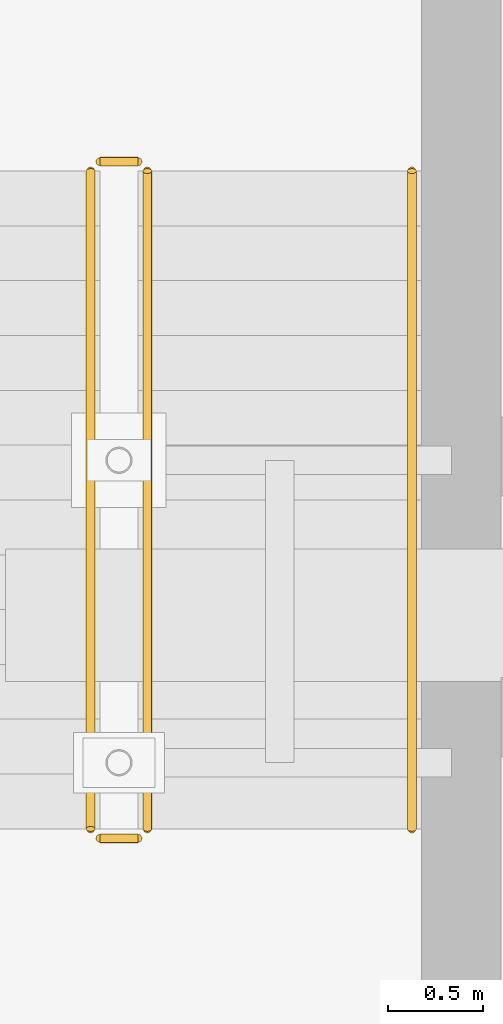
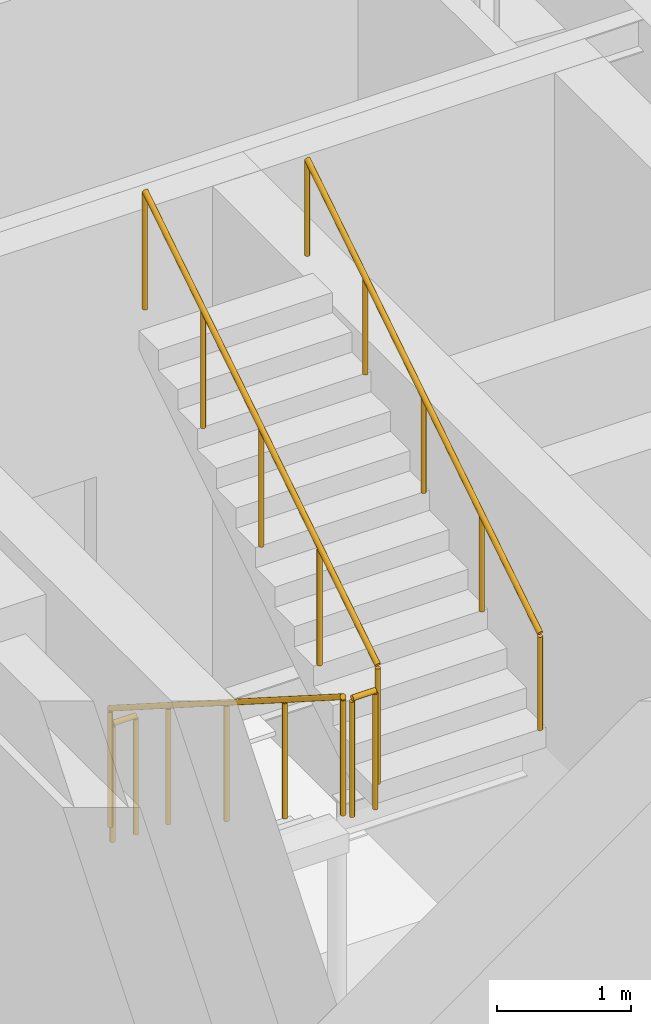
# One storey, part 45 of 49: 5 railings.
"""IFC4 building model written with IfcOpenShell, lengths in metres."""

from ifc_helpers import new_model, si_unit, direction, frame, origin, origin_2d, place, context, subcontext, project, spatial, circle, extrude, material, type_object, element, save


model = new_model("IFC4")

# Units and contexts
model_context = context("Model", 3, precision=1e-05, world=origin(), true_north=direction((0.0, 1.0)))
body_context = subcontext(model_context, "Body", "Model", "MODEL_VIEW")
ifc_project = project(units=[si_unit("LENGTHUNIT", "METRE"), si_unit("AREAUNIT", "SQUARE_METRE"), si_unit("VOLUMEUNIT", "CUBIC_METRE"), si_unit("PLANEANGLEUNIT", "RADIAN"), si_unit("MASSUNIT", "GRAM", prefix="KILO")], contexts=[model_context])

# Site, building, storey
site_placement = place(None, origin())
site = spatial("IfcSite", under=ifc_project, at=site_placement, CompositionType="ELEMENT")
building_placement = place(site_placement, origin())
building = spatial("IfcBuilding", under=site, at=building_placement, Name="Krzemoval Escarpment Law Courts", CompositionType="ELEMENT")
storey_placement = place(building_placement, frame((0.0, 0.0, -4.800048828125)))
storey = spatial("IfcBuildingStorey", under=building, at=storey_placement, Name="B1", CompositionType="ELEMENT", Elevation=-4.800048828125)

# Railings
ifc_material_1 = material(Name="Galvanised Steel S355", Category="steel")
railing_type_1 = type_object("IfcRailingType", Name="RL-GRD-1100", PredefinedType="GUARDRAIL", material=ifc_material_1)
railing_1_placement = place(storey_placement, frame((111.75, 29.35009765625, 0.1845703125)))
element("IfcRailing", 1, at=railing_1_placement, inside=storey, type_object=railing_type_1, Name="B1 ST6 stair guard 1", PredefinedType="GUARDRAIL", context=body_context, shape_type="SweptSolid", body=[
    extrude(circle(Radius=0.02392578125, at=origin_2d()), frame((0.0, 0.0, 1.076171875), z_axis=(0.0, -0.843546938479, 0.53705545578), x_axis=(1.0, 0.0, 0.0)), (0.0, 0.0, 1.0), 4.12548828125),
    extrude(circle(Radius=0.02099609375, at=origin_2d()), origin(), (0.0, 0.0, 1.0), 1.052001953125),
    extrude(circle(Radius=0.02099609375, at=origin_2d()), frame((0.0, -0.8701171875, 0.553955078125)), (0.0, 0.0, 1.0), 1.052001953125),
    extrude(circle(Radius=0.02099609375, at=origin_2d()), frame((0.0, -1.739990234375, 1.10791015625)), (0.0, 0.0, 1.0), 1.052001953125),
    extrude(circle(Radius=0.02099609375, at=origin_2d()), frame((0.0, -2.60986328125, 1.66162109375)), (0.0, 0.0, 1.0), 1.052001953125),
    extrude(circle(Radius=0.02099609375, at=origin_2d()), frame((0.0, -3.47998046875, 2.215576171875)), (0.0, 0.0, 1.0), 1.052001953125),
])
railing_2_placement = place(storey_placement, frame((111.800048828125, 25.820068359375, 2.400146484375)))
element("IfcRailing", 2, at=railing_2_placement, inside=storey, type_object=railing_type_1, Name="B1 ST6 stair guard 2", PredefinedType="GUARDRAIL", context=body_context, shape_type="SweptSolid", body=[
    extrude(circle(Radius=0.02392578125, at=origin_2d()), frame((0.0, 0.0, 1.076171875), z_axis=(1.0, 0.0, 0.0), x_axis=(0.0, 1.0, 0.0)), (0.0, 0.0, 1.0), 0.199951171875),
    extrude(circle(Radius=0.02099609375, at=origin_2d()), origin(), (0.0, 0.0, 1.0), 1.052001953125),
    extrude(circle(Radius=0.02099609375, at=origin_2d()), frame((0.199951171875, 0.0, 0.0)), (0.0, 0.0, 1.0), 1.052001953125),
])
railing_3_placement = place(storey_placement, frame((112.050048828125, 25.8701171875, 2.584716796875)))
element("IfcRailing", 3, at=railing_3_placement, inside=storey, type_object=railing_type_1, Name="B1 ST6 stair guard 3", PredefinedType="GUARDRAIL", context=body_context, shape_type="SweptSolid", body=[
    extrude(circle(Radius=0.02392578125, at=origin_2d()), frame((0.0, 0.0, 1.076171875), z_axis=(0.0, 0.843573748531, 0.537013343214), x_axis=(-1.0, 0.0, 0.0)), (0.0, 0.0, 1.0), 4.125244140625),
    extrude(circle(Radius=0.02099609375, at=origin_2d()), origin(), (0.0, 0.0, 1.0), 1.052001953125),
    extrude(circle(Radius=0.02099609375, at=origin_2d()), frame((0.0, 0.8701171875, 0.5537109375)), (0.0, 0.0, 1.0), 1.052001953125),
    extrude(circle(Radius=0.02099609375, at=origin_2d()), frame((0.0, 1.739990234375, 1.107666015625)), (0.0, 0.0, 1.0), 1.052001953125),
    extrude(circle(Radius=0.02099609375, at=origin_2d()), frame((0.0, 2.60986328125, 1.66162109375)), (0.0, 0.0, 1.0), 1.052001953125),
    extrude(circle(Radius=0.02099609375, at=origin_2d()), frame((0.0, 3.47998046875, 2.21533203125)), (0.0, 0.0, 1.0), 1.052001953125),
])
railing_4_placement = place(storey_placement, frame((111.800048828125, 29.39990234375, 0.0)))
element("IfcRailing", 4, at=railing_4_placement, inside=storey, type_object=railing_type_1, Name="B1 ST6 stair guard 4", PredefinedType="GUARDRAIL", context=body_context, shape_type="SweptSolid", body=[
    extrude(circle(Radius=0.02392578125, at=origin_2d()), frame((0.0, 0.0, 1.076171875), z_axis=(1.0, 0.0, 0.0), x_axis=(0.0, 1.0, 0.0)), (0.0, 0.0, 1.0), 0.199951171875),
    extrude(circle(Radius=0.02099609375, at=origin_2d()), origin(), (0.0, 0.0, 1.0), 1.052001953125),
    extrude(circle(Radius=0.02099609375, at=origin_2d()), frame((0.199951171875, 0.0, 0.0)), (0.0, 0.0, 1.0), 1.052001953125),
])
ifc_material_2 = material(Name="Brushed Stainless Steel Grade 304 Handrail", Category="steel")
railing_type_2 = type_object("IfcRailingType", Name="RL-HND-900", PredefinedType="HANDRAIL", material=ifc_material_2)
railing_5_placement = place(storey_placement, frame((113.449951171875, 25.8701171875, 2.584716796875)))
element("IfcRailing", 5, at=railing_5_placement, inside=storey, type_object=railing_type_2, Name="B1 ST6 stair handrail 2", PredefinedType="HANDRAIL", context=body_context, shape_type="SweptSolid", body=[
    extrude(circle(Radius=0.02392578125, at=origin_2d()), frame((0.0, 0.0, 0.8759765625), z_axis=(0.0, 0.843573748531, 0.537013343214), x_axis=(-1.0, 0.0, 0.0)), (0.0, 0.0, 1.0), 4.125244140625),
    extrude(circle(Radius=0.02099609375, at=origin_2d()), origin(), (0.0, 0.0, 1.0), 0.851806640625),
    extrude(circle(Radius=0.02099609375, at=origin_2d()), frame((0.0, 0.8701171875, 0.5537109375)), (0.0, 0.0, 1.0), 0.851806640625),
    extrude(circle(Radius=0.02099609375, at=origin_2d()), frame((0.0, 1.739990234375, 1.107666015625)), (0.0, 0.0, 1.0), 0.851806640625),
    extrude(circle(Radius=0.02099609375, at=origin_2d()), frame((0.0, 2.60986328125, 1.66162109375)), (0.0, 0.0, 1.0), 0.851806640625),
    extrude(circle(Radius=0.02099609375, at=origin_2d()), frame((0.0, 3.47998046875, 2.21533203125)), (0.0, 0.0, 1.0), 0.851806640625),
])

save(model, "model.ifc")
